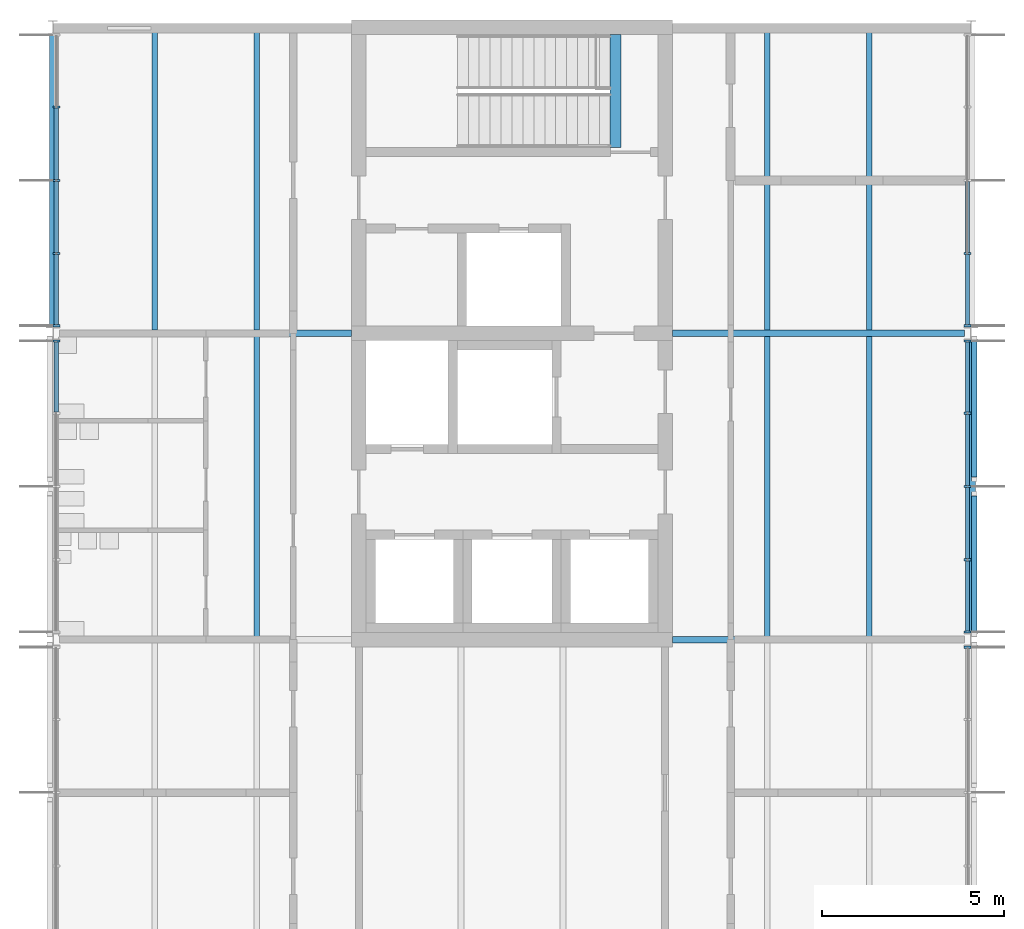
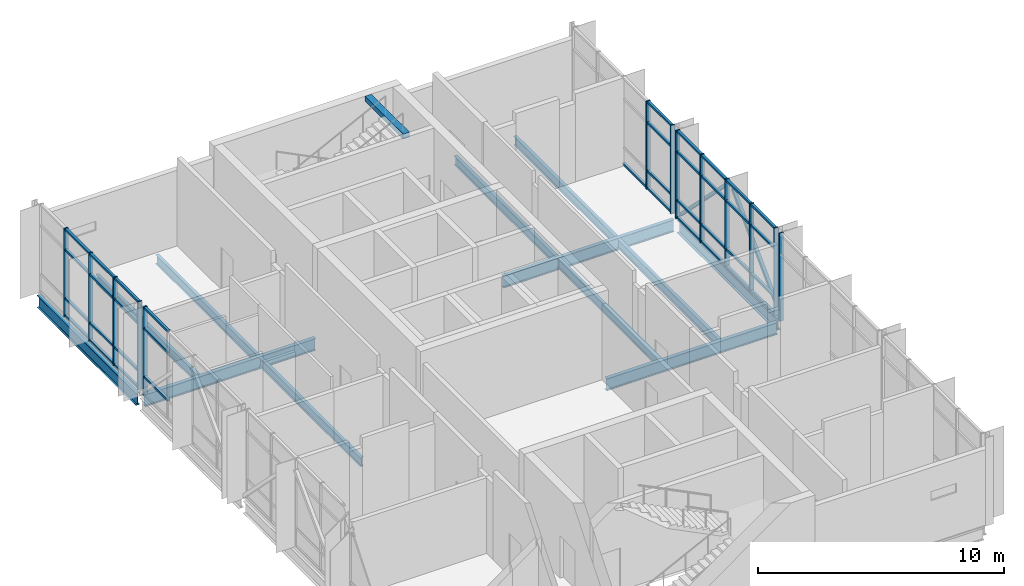
# One storey, part 4 of 15: 51 members, 13 beams, 5 elements without a shape of their own.
"""IFC4 building model written with IfcOpenShell, lengths in metres."""

import ifcopenshell
import ifcopenshell.guid

model = None  # the IFC model being written
_history = None  # IfcOwnerHistory: only IFC2X3 demands one
_inside = {}  # id of a spatial element -> (the spatial element, [elements in it])
_under = {}  # id of a project, library or spatial element -> (it, [spatial elements below it])
_declared = {}  # id of a project -> (the project, [libraries it declares])
_typed = {}  # id of a type object -> (the type object, [elements of that type])
_made_of = {}  # id of a material, layer set ... -> (it, [elements and type objects made of it])


def new_model(schema):
    """Start an empty IFC model of exactly this schema.

    Asked for "IFC4X3", IfcOpenShell would pick the latest addendum, in which some entities
    have other attributes; the version numbers below select the first issue.
    IFC2X3 requires an IfcOwnerHistory on every rooted entity: one is made here for all.
    """
    global model, _history
    if schema == "IFC4X3":
        model = ifcopenshell.file(schema_version=(4, 3, 0, 0))
    else:
        model = ifcopenshell.file(schema=schema)
    _inside.clear()
    _under.clear()
    _declared.clear()
    _typed.clear()
    _made_of.clear()
    _history = None
    if model.schema == "IFC2X3":
        org = make("IfcOrganization", Name="unknown")
        user = make(
            "IfcPersonAndOrganization",
            ThePerson=make("IfcPerson", FamilyName="unknown"),
            TheOrganization=org,
        )
        app = make(
            "IfcApplication",
            ApplicationDeveloper=org,
            Version="unknown",
            ApplicationFullName="unknown",
            ApplicationIdentifier="unknown",
        )
        _history = make(
            "IfcOwnerHistory",
            OwningUser=user,
            OwningApplication=app,
            ChangeAction="ADDED",
            CreationDate=0,
        )
    return model


def make(cls, **values):
    """One entity of the class cls with the attributes given. An attribute that is None is left unset."""
    return model.create_entity(
        cls, **{name: value for name, value in values.items() if value is not None}
    )


def rooted(cls, **values):
    """An entity with a GlobalId (a new one), such as an element, a storey or a relation."""
    return make(cls, GlobalId=ifcopenshell.guid.new(), OwnerHistory=_history, **values)


def si_unit(unit_type, name, prefix=None):
    """IfcSIUnit, for example si_unit("LENGTHUNIT", "METRE", prefix="MILLI")."""
    return make("IfcSIUnit", UnitType=unit_type, Prefix=prefix, Name=name)


def assignment(units):
    """IfcUnitAssignment: the units of a project."""
    return None if units is None else make("IfcUnitAssignment", Units=units)


def point(xyz):
    """IfcCartesianPoint."""
    return None if xyz is None else make("IfcCartesianPoint", Coordinates=xyz)


def direction(xyz):
    """IfcDirection."""
    return None if xyz is None else make("IfcDirection", DirectionRatios=xyz)


def frame(location, z_axis=None, x_axis=None):
    """IfcAxis2Placement3D, a coordinate frame: its origin and axes. An axis left out is left unset."""
    return make(
        "IfcAxis2Placement3D",
        Location=point(location),
        Axis=direction(z_axis),
        RefDirection=direction(x_axis),
    )


def frame_2d(location, x_axis=None):
    """IfcAxis2Placement2D, a coordinate frame in the plane: its origin and x axis."""
    return make(
        "IfcAxis2Placement2D", Location=point(location), RefDirection=direction(x_axis)
    )


def origin():
    """The frame at (0, 0, 0) with its axes left unset."""
    return frame((0.0, 0.0, 0.0))


def origin_2d():
    """The frame at (0, 0) in the plane with its x axis left unset."""
    return frame_2d((0.0, 0.0))


def place(relative_to, where):
    """IfcLocalPlacement: puts the frame where relative to a parent placement (None: the world)."""
    return make(
        "IfcLocalPlacement", PlacementRelTo=relative_to, RelativePlacement=where
    )


def context(
    kind, dimensions, precision=None, world=None, true_north=None, identifier=None
):
    """IfcGeometricRepresentationContext, for example the 3D "Model" context."""
    return make(
        "IfcGeometricRepresentationContext",
        ContextIdentifier=identifier,
        ContextType=kind,
        CoordinateSpaceDimension=dimensions,
        Precision=precision,
        WorldCoordinateSystem=world,
        TrueNorth=true_north,
    )


def subcontext(parent, identifier, kind, view, scale=None):
    """IfcGeometricRepresentationSubContext, for example "Body" below "Model"."""
    return make(
        "IfcGeometricRepresentationSubContext",
        ContextIdentifier=identifier,
        ContextType=kind,
        ParentContext=parent,
        TargetScale=scale,
        TargetView=view,
    )


def project(units=None, contexts=None):
    """IfcProject with its units and contexts."""
    return rooted(
        "IfcProject",
        Name="project",
        RepresentationContexts=contexts,
        UnitsInContext=assignment(units),
    )


def spatial(cls, under=None, at=None, **own):
    """A site, building, storey or space (cls), placed at a placement, below another one or the project."""
    s = rooted(cls, ObjectPlacement=at, **own)
    if under is not None:
        _under.setdefault(under.id(), (under, []))[1].append(s)
    return s


def profile(cls, at=None, kind="AREA", **sizes):
    """A parametric profile (cls). Its sizes go by their IFC names, for example OverallWidth=200.0."""
    return make(cls, ProfileType=kind, Position=at, **sizes)


def rectangle(**sizes):
    """IfcRectangleProfileDef."""
    return profile("IfcRectangleProfileDef", **sizes)


def hollow_rectangle(**sizes):
    """IfcRectangleHollowProfileDef."""
    return profile("IfcRectangleHollowProfileDef", **sizes)


def i_section(**sizes):
    """IfcIShapeProfileDef."""
    return profile("IfcIShapeProfileDef", **sizes)


def extrude(swept, where, along, depth):
    """IfcExtrudedAreaSolid: the profile swept, set in the frame where, extruded along a direction by depth."""
    return make(
        "IfcExtrudedAreaSolid",
        SweptArea=swept,
        Position=where,
        ExtrudedDirection=direction(along),
        Depth=depth,
    )


def shape(context_of_items, identifier, shape_type, items):
    """IfcShapeRepresentation: the items that make up one representation, for example the "Body"."""
    return make(
        "IfcShapeRepresentation",
        ContextOfItems=context_of_items,
        RepresentationIdentifier=identifier,
        RepresentationType=shape_type,
        Items=items,
    )


def material(Name=None, Category=None):
    """IfcMaterial."""
    return make("IfcMaterial", Name=Name, Category=Category)


def material_profile(
    of_material, cross_section, Name=None, Category=None, Priority=None
):
    """IfcMaterialProfile: a cross section and its material."""
    return make(
        "IfcMaterialProfile",
        Name=Name,
        Material=of_material,
        Profile=cross_section,
        Priority=Priority,
        Category=Category,
    )


def profile_set(profiles, Name=None, composite=None):
    """IfcMaterialProfileSet."""
    return make(
        "IfcMaterialProfileSet",
        Name=Name,
        MaterialProfiles=profiles,
        CompositeProfile=composite,
    )


def made_of(thing, what):
    """Note that an element or type object is made of a material, layer set ...; save() writes the relation."""
    if what is not None:
        _made_of.setdefault(what.id(), (what, []))[1].append(thing)
    return thing


def type_object(cls, material=None, **own):
    """A type object (cls), such as IfcWallType, which elements share."""
    return made_of(rooted(cls, **own), material)


def element(
    cls,
    number,
    at=None,
    inside=None,
    cuts=None,
    type_object=None,
    material=None,
    context=None,
    identifier="Body",
    shape_type=None,
    held_by="IfcProductDefinitionShape",
    body=None,
    shapes=None,
    **own,
):
    """One element of the class cls, such as IfcWall. Its Tag is "e" and its number.

    at: its placement. inside: the storey or other place that contains it. cuts: it is an
    opening in that element (IfcRelVoidsElement). A single representation is given by context,
    identifier, shape_type and body (its items); several are given by shapes. held_by: the class
    of the entity that holds the representations. save() writes the other relations.
    """
    e = rooted(cls, Tag="e%d" % number, ObjectPlacement=at, **own)
    if body is not None:
        shapes = [shape(context, identifier, shape_type, body)]
    if shapes is not None:
        e.Representation = make(held_by, Representations=shapes)
    if inside is not None:
        _inside.setdefault(inside.id(), (inside, []))[1].append(e)
    if cuts is not None:
        rooted(
            "IfcRelVoidsElement", RelatingBuildingElement=cuts, RelatedOpeningElement=e
        )
    if type_object is not None:
        _typed.setdefault(type_object.id(), (type_object, []))[1].append(e)
    return made_of(e, material)


def aggregate(whole, parts):
    """IfcRelAggregates: a whole, such as a stair, and the parts it consists of."""
    return rooted("IfcRelAggregates", RelatingObject=whole, RelatedObjects=parts)


def save(model, path):
    """Write the relations noted so far, then the file.

    IfcRelAggregates (storeys below a building ...), IfcRelContainedInSpatialStructure (elements
    in a storey), IfcRelDefinesByType, IfcRelAssociatesMaterial and IfcRelDeclares: one each for
    every whole, place, type object, material and project.
    """
    for whole, parts in _under.values():
        aggregate(whole, parts)
    for where, things in _inside.values():
        rooted(
            "IfcRelContainedInSpatialStructure",
            RelatedElements=things,
            RelatingStructure=where,
        )
    for kind, things in _typed.values():
        rooted("IfcRelDefinesByType", RelatedObjects=things, RelatingType=kind)
    for what, things in _made_of.values():
        rooted("IfcRelAssociatesMaterial", RelatedObjects=things, RelatingMaterial=what)
    for by, libraries in _declared.values():
        rooted("IfcRelDeclares", RelatingContext=by, RelatedDefinitions=libraries)
    model.write(path)


model = new_model("IFC4")

# Units and contexts
model_context = context("Model", 3, precision=1e-05, world=origin(), true_north=direction((0.0, 1.0)))
body_context = subcontext(model_context, "Body", "Model", "MODEL_VIEW")
ifc_project = project(units=[si_unit("LENGTHUNIT", "METRE"), si_unit("AREAUNIT", "SQUARE_METRE"), si_unit("VOLUMEUNIT", "CUBIC_METRE"), si_unit("PLANEANGLEUNIT", "RADIAN"), si_unit("MASSUNIT", "GRAM", prefix="KILO")], contexts=[model_context])

# Site, building, storey
site_placement = place(None, origin())
site = spatial("IfcSite", under=ifc_project, at=site_placement, CompositionType="ELEMENT")
building_placement = place(site_placement, origin())
building = spatial("IfcBuilding", under=site, at=building_placement, Name="Hlaing Beacon Police Headquarters", CompositionType="ELEMENT")
storey_placement = place(building_placement, frame((0.0, 0.0, 32.39990234375)))
storey = spatial("IfcBuildingStorey", under=building, at=storey_placement, Name="L07", CompositionType="ELEMENT", Elevation=32.39990234375)

# Members
ifc_material_1 = material(Name="Steel ASTM A500 Grade C", Category="steel")
ifc_material_profile_1 = material_profile(ifc_material_1, hollow_rectangle(XDim=0.15234375, YDim=0.15234375, WallThickness=0.0126953125, at=origin_2d()), Name="HSS6x6x1/2")
ifc_profile_set_1 = profile_set([ifc_material_profile_1], Name="Steel ASTM A500 Grade C")
member_type_1 = type_object("IfcMemberType", Name="Chevron brace HSS6x6x1/2", PredefinedType="BRACE", material=ifc_profile_set_1)
for number, where, z_axis, x_axis, name in (
    (1, (126.080078125, 50.530029296875, 0.05419921875), (0.0, 0.704368633341, 0.709834366853), (-1.0, 0.0, 0.0), "STR-BR-L07-R7a"),
    (2, (126.080078125, 58.669921875, 0.05419921875), (0.0, -0.704368633341, 0.709834366853), (1.0, 0.0, 0.0), "STR-BR-L07-R7b"),
):
    element("IfcMember", number, at=place(storey_placement, frame(where, z_axis=z_axis, x_axis=x_axis)), inside=storey, type_object=member_type_1, Name=name, PredefinedType="BRACE", context=body_context, shape_type="SweptSolid", body=[
        extrude(hollow_rectangle(XDim=0.15234375, YDim=0.15234375, WallThickness=0.0126953125, at=origin_2d()), origin(), (0.0, 0.0, 1.0), 5.494140625),
    ])

# Beams
ifc_material_2 = material(Name="Steel ASTM A992 Grade 50", Category="steel")
ifc_material_profile_2 = material_profile(ifc_material_2, i_section(OverallWidth=0.177978515625, OverallDepth=0.599365234375, WebThickness=0.010009765625, FlangeThickness=0.012939453125, FilletRadius=0.012939453125, at=origin_2d()), Name="W24x55")
ifc_profile_set_2 = profile_set([ifc_material_profile_2], Name="Steel ASTM A992 Grade 50")
beam_type_1 = type_object("IfcBeamType", Name="Girder W24x55", PredefinedType="BEAM", material=ifc_profile_set_2)
for number, where, z_axis, x_axis, name in (
    (3, (117.800048828125, 50.39990234375, -0.4296875), (1.0, 0.0, 0.0), (0.0, 1.0, 0.0), "STR-BM-L07-GX-Q7-R7"),
    (4, (100.985107421875, 58.800048828125, -0.4296875), (1.0, 0.0, 0.0), (0.0, 1.0, 0.0), "STR-BM-L07-GX-N8-P8"),
    (5, (117.800048828125, 58.800048828125, -0.4296875), (1.0, 0.0, 0.0), (0.0, 1.0, 0.0), "STR-BM-L07-GX-Q8-R8"),
):
    element("IfcBeam", number, at=place(storey_placement, frame(where, z_axis=z_axis, x_axis=x_axis)), inside=storey, type_object=beam_type_1, Name=name, PredefinedType="BEAM", context=body_context, shape_type="SweptSolid", body=[
        extrude(i_section(OverallWidth=0.177978515625, OverallDepth=0.599365234375, WebThickness=0.010009765625, FlangeThickness=0.012939453125, FilletRadius=0.012939453125, at=origin_2d()), origin(), (0.0, 0.0, 1.0), 8.014892578125),
    ])
beam_1_placement = place(storey_placement, frame((100.800048828125, 58.98193359375, -0.4296875), z_axis=(0.0, 1.0, 0.0), x_axis=(-1.0, 0.0, 0.0)))
element("IfcBeam", 6, at=beam_1_placement, inside=storey, type_object=beam_type_1, Name="STR-BM-L07-GY-N8-N9", PredefinedType="BEAM", context=body_context, shape_type="SweptSolid", body=[
    extrude(i_section(OverallWidth=0.177978515625, OverallDepth=0.599365234375, WebThickness=0.010009765625, FlangeThickness=0.012939453125, FilletRadius=0.012939453125, at=origin_2d()), origin(), (0.0, 0.0, 1.0), 8.0400390625),
])
ifc_material_3 = material(Name="Steel ASTM A992 Grade 50", Category="steel")
ifc_material_profile_3 = material_profile(ifc_material_3, i_section(OverallWidth=0.22900390625, OverallDepth=0.612060546875, WebThickness=0.011962890625, FlangeThickness=0.01953125, FilletRadius=0.0126953125, at=origin_2d()), Name="W24x84")
ifc_profile_set_3 = profile_set([ifc_material_profile_3], Name="Steel ASTM A992 Grade 50")
beam_type_2 = type_object("IfcBeamType", Name="Girder W24x84", PredefinedType="BEAM", material=ifc_profile_set_3)
beam_2_placement = place(storey_placement, frame((126.0, 50.58203125, -0.43603515625), z_axis=(0.0, 1.0, 0.0), x_axis=(-1.0, 0.0, 0.0)))
element("IfcBeam", 7, at=beam_2_placement, inside=storey, type_object=beam_type_2, Name="STR-BM-L07-GY-R7-R8", PredefinedType="BEAM", context=body_context, shape_type="SweptSolid", body=[
    extrude(i_section(OverallWidth=0.22900390625, OverallDepth=0.612060546875, WebThickness=0.011962890625, FlangeThickness=0.01953125, FilletRadius=0.0126953125, at=origin_2d()), origin(), (0.0, 0.0, 1.0), 8.035888671875),
])

# Curtain wall, member
ifc_material_4 = material(Name="Aluminium frame with solar control glazing", Category="aluminium")
curtain_wall_type = type_object("IfcCurtainWallType", Name="Unitised curtain wall 8.04 x 4.37", PredefinedType="NOTDEFINED", material=ifc_material_4)
curtain_wall_1_placement = place(storey_placement, origin())
curtain_wall_1 = element("IfcCurtainWall", 8, at=curtain_wall_1_placement, inside=storey, type_object=curtain_wall_type, Name="ENV-CW-L07-E002", PredefinedType="NOTDEFINED")
ifc_material_5 = material(Name="Aluminium", Category="aluminium")
ifc_material_profile_4 = material_profile(ifc_material_5, rectangle(XDim=0.199951171875, YDim=0.06005859375, at=origin_2d()), Name="Mullion 60x200")
ifc_profile_set_4 = profile_set([ifc_material_profile_4], Name="Aluminium")
member_type_2 = type_object("IfcMemberType", Name="Mullion 60x200", PredefinedType="MULLION", material=ifc_profile_set_4)
member_1_placement = place(storey_placement, frame((125.89990234375, 50.189697265625, 0.0), z_axis=(0.0, 0.0, 1.0), x_axis=(-1.0, 0.0, 0.0)))
member_1 = element("IfcMember", 9, at=member_1_placement, type_object=member_type_2, Name="CW-L07-E002 mullion 5", PredefinedType="MULLION", context=body_context, shape_type="SweptSolid", body=[
    extrude(rectangle(XDim=0.199951171875, YDim=0.06005859375, at=origin_2d()), origin(), (0.0, 0.0, 1.0), 4.3701171875),
])
aggregate(curtain_wall_1, [member_1])

# Curtain wall, members
curtain_wall_2_placement = place(storey_placement, origin())
curtain_wall_2 = element("IfcCurtainWall", 10, at=curtain_wall_2_placement, inside=storey, type_object=curtain_wall_type, Name="ENV-CW-L07-E003", PredefinedType="NOTDEFINED")
member_2_placement = place(storey_placement, frame((125.89990234375, 50.6103515625, 0.0), z_axis=(0.0, 0.0, 1.0), x_axis=(-1.0, 0.0, 0.0)))
member_2 = element("IfcMember", 11, at=member_2_placement, type_object=member_type_2, Name="CW-L07-E003 mullion 1", PredefinedType="MULLION", context=body_context, shape_type="SweptSolid", body=[
    extrude(rectangle(XDim=0.199951171875, YDim=0.06005859375, at=origin_2d()), origin(), (0.0, 0.0, 1.0), 4.3701171875),
])
member_3_placement = place(storey_placement, frame((125.89990234375, 52.590087890625, 0.0), z_axis=(0.0, 0.0, 1.0), x_axis=(-1.0, 0.0, 0.0)))
member_3 = element("IfcMember", 12, at=member_3_placement, type_object=member_type_2, Name="CW-L07-E003 mullion 2", PredefinedType="MULLION", context=body_context, shape_type="SweptSolid", body=[
    extrude(rectangle(XDim=0.199951171875, YDim=0.06005859375, at=origin_2d()), origin(), (0.0, 0.0, 1.0), 4.3701171875),
])
member_4_placement = place(storey_placement, frame((125.89990234375, 54.60009765625, 0.0), z_axis=(0.0, 0.0, 1.0), x_axis=(-1.0, 0.0, 0.0)))
member_4 = element("IfcMember", 13, at=member_4_placement, type_object=member_type_2, Name="CW-L07-E003 mullion 3", PredefinedType="MULLION", context=body_context, shape_type="SweptSolid", body=[
    extrude(rectangle(XDim=0.199951171875, YDim=0.06005859375, at=origin_2d()), origin(), (0.0, 0.0, 1.0), 4.3701171875),
])
member_5_placement = place(storey_placement, frame((125.89990234375, 56.60986328125, 0.0), z_axis=(0.0, 0.0, 1.0), x_axis=(-1.0, 0.0, 0.0)))
member_5 = element("IfcMember", 14, at=member_5_placement, type_object=member_type_2, Name="CW-L07-E003 mullion 4", PredefinedType="MULLION", context=body_context, shape_type="SweptSolid", body=[
    extrude(rectangle(XDim=0.199951171875, YDim=0.06005859375, at=origin_2d()), origin(), (0.0, 0.0, 1.0), 4.3701171875),
])
member_6_placement = place(storey_placement, frame((125.89990234375, 58.589599609375, 0.0), z_axis=(0.0, 0.0, 1.0), x_axis=(-1.0, 0.0, 0.0)))
member_6 = element("IfcMember", 15, at=member_6_placement, type_object=member_type_2, Name="CW-L07-E003 mullion 5", PredefinedType="MULLION", context=body_context, shape_type="SweptSolid", body=[
    extrude(rectangle(XDim=0.199951171875, YDim=0.06005859375, at=origin_2d()), origin(), (0.0, 0.0, 1.0), 4.3701171875),
])

curtain_wall_3_placement = place(storey_placement, origin())
curtain_wall_3 = element("IfcCurtainWall", 16, at=curtain_wall_3_placement, inside=storey, type_object=curtain_wall_type, Name="ENV-CW-L07-E004", PredefinedType="NOTDEFINED")
member_7_placement = place(storey_placement, frame((125.89990234375, 59.01025390625, 0.0), z_axis=(0.0, 0.0, 1.0), x_axis=(-1.0, 0.0, 0.0)))
member_7 = element("IfcMember", 17, at=member_7_placement, type_object=member_type_2, Name="CW-L07-E004 mullion 1", PredefinedType="MULLION", context=body_context, shape_type="SweptSolid", body=[
    extrude(rectangle(XDim=0.199951171875, YDim=0.06005859375, at=origin_2d()), origin(), (0.0, 0.0, 1.0), 4.3701171875),
])
member_8_placement = place(storey_placement, frame((125.89990234375, 60.990234375, 0.0), z_axis=(0.0, 0.0, 1.0), x_axis=(-1.0, 0.0, 0.0)))
member_8 = element("IfcMember", 18, at=member_8_placement, type_object=member_type_2, Name="CW-L07-E004 mullion 2", PredefinedType="MULLION", context=body_context, shape_type="SweptSolid", body=[
    extrude(rectangle(XDim=0.199951171875, YDim=0.06005859375, at=origin_2d()), origin(), (0.0, 0.0, 1.0), 4.3701171875),
])

curtain_wall_4_placement = place(storey_placement, origin())
curtain_wall_4 = element("IfcCurtainWall", 19, at=curtain_wall_4_placement, inside=storey, type_object=curtain_wall_type, Name="ENV-CW-L07-W005", PredefinedType="NOTDEFINED")
member_9_placement = place(storey_placement, frame((100.89990234375, 65.009765625, 0.0), z_axis=(0.0, 0.0, 1.0), x_axis=(1.0, 0.0, 0.0)))
member_9 = element("IfcMember", 20, at=member_9_placement, type_object=member_type_2, Name="CW-L07-W005 mullion 2", PredefinedType="MULLION", context=body_context, shape_type="SweptSolid", body=[
    extrude(rectangle(XDim=0.199951171875, YDim=0.06005859375, at=origin_2d()), origin(), (0.0, 0.0, 1.0), 4.3701171875),
])
member_10_placement = place(storey_placement, frame((100.89990234375, 63.0, 0.0), z_axis=(0.0, 0.0, 1.0), x_axis=(1.0, 0.0, 0.0)))
member_10 = element("IfcMember", 21, at=member_10_placement, type_object=member_type_2, Name="CW-L07-W005 mullion 3", PredefinedType="MULLION", context=body_context, shape_type="SweptSolid", body=[
    extrude(rectangle(XDim=0.199951171875, YDim=0.06005859375, at=origin_2d()), origin(), (0.0, 0.0, 1.0), 4.3701171875),
])
member_11_placement = place(storey_placement, frame((100.89990234375, 60.990234375, 0.0), z_axis=(0.0, 0.0, 1.0), x_axis=(1.0, 0.0, 0.0)))
member_11 = element("IfcMember", 22, at=member_11_placement, type_object=member_type_2, Name="CW-L07-W005 mullion 4", PredefinedType="MULLION", context=body_context, shape_type="SweptSolid", body=[
    extrude(rectangle(XDim=0.199951171875, YDim=0.06005859375, at=origin_2d()), origin(), (0.0, 0.0, 1.0), 4.3701171875),
])
member_12_placement = place(storey_placement, frame((100.89990234375, 59.01025390625, 0.0), z_axis=(0.0, 0.0, 1.0), x_axis=(1.0, 0.0, 0.0)))
member_12 = element("IfcMember", 23, at=member_12_placement, type_object=member_type_2, Name="CW-L07-W005 mullion 5", PredefinedType="MULLION", context=body_context, shape_type="SweptSolid", body=[
    extrude(rectangle(XDim=0.199951171875, YDim=0.06005859375, at=origin_2d()), origin(), (0.0, 0.0, 1.0), 4.3701171875),
])

# Curtain wall, member
curtain_wall_5_placement = place(storey_placement, origin())
curtain_wall_5 = element("IfcCurtainWall", 24, at=curtain_wall_5_placement, inside=storey, type_object=curtain_wall_type, Name="ENV-CW-L07-W006", PredefinedType="NOTDEFINED")
member_13_placement = place(storey_placement, frame((100.89990234375, 58.589599609375, 0.0), z_axis=(0.0, 0.0, 1.0), x_axis=(1.0, 0.0, 0.0)))
member_13 = element("IfcMember", 25, at=member_13_placement, type_object=member_type_2, Name="CW-L07-W006 mullion 1", PredefinedType="MULLION", context=body_context, shape_type="SweptSolid", body=[
    extrude(rectangle(XDim=0.199951171875, YDim=0.06005859375, at=origin_2d()), origin(), (0.0, 0.0, 1.0), 4.3701171875),
])

# Beams
ifc_material_6 = material(Name="Steel ASTM A992 Grade 50", Category="steel")
ifc_material_profile_5 = material_profile(ifc_material_6, i_section(OverallWidth=0.15234375, OverallDepth=0.449462890625, WebThickness=0.007568359375, FlangeThickness=0.0107421875, FilletRadius=0.01025390625, at=origin_2d()), Name="W18x35")
ifc_profile_set_5 = profile_set([ifc_material_profile_5], Name="Steel ASTM A992 Grade 50")
beam_type_3 = type_object("IfcBeamType", Name="Secondary beam W18x35", PredefinedType="BEAM", material=ifc_profile_set_5)
beam_3_placement = place(storey_placement, frame((106.39990234375, 50.489013671875, -0.354736328125), z_axis=(0.0, 1.0, 0.0), x_axis=(-1.0, 0.0, 0.0)))
element("IfcBeam", 26, at=beam_3_placement, inside=storey, type_object=beam_type_3, Name="STR-BM-L07-SB-N7-y2", PredefinedType="BEAM", context=body_context, shape_type="SweptSolid", body=[
    extrude(i_section(OverallWidth=0.15234375, OverallDepth=0.449462890625, WebThickness=0.007568359375, FlangeThickness=0.0107421875, FilletRadius=0.01025390625, at=origin_2d()), origin(), (0.0, 0.0, 1.0), 8.221923828125),
])
for number, where, z_axis, x_axis, name in (
    (27, (103.60009765625, 58.888916015625, -0.354736328125), (0.0, 1.0, 0.0), (-1.0, 0.0, 0.0), "STR-BM-L07-SB-N8-y1"),
    (28, (106.39990234375, 58.888916015625, -0.354736328125), (0.0, 1.0, 0.0), (-1.0, 0.0, 0.0), "STR-BM-L07-SB-N8-y2"),
):
    element("IfcBeam", number, at=place(storey_placement, frame(where, z_axis=z_axis, x_axis=x_axis)), inside=storey, type_object=beam_type_3, Name=name, PredefinedType="BEAM", context=body_context, shape_type="SweptSolid", body=[
        extrude(i_section(OverallWidth=0.15234375, OverallDepth=0.449462890625, WebThickness=0.007568359375, FlangeThickness=0.0107421875, FilletRadius=0.01025390625, at=origin_2d()), origin(), (0.0, 0.0, 1.0), 8.22216796875),
    ])
for number, where, z_axis, x_axis, name in (
    (29, (120.39990234375, 50.489013671875, -0.354736328125), (0.0, 1.0, 0.0), (-1.0, 0.0, 0.0), "STR-BM-L07-SB-Q7-y1"),
    (30, (123.199951171875, 50.489013671875, -0.354736328125), (0.0, 1.0, 0.0), (-1.0, 0.0, 0.0), "STR-BM-L07-SB-Q7-y2"),
):
    element("IfcBeam", number, at=place(storey_placement, frame(where, z_axis=z_axis, x_axis=x_axis)), inside=storey, type_object=beam_type_3, Name=name, PredefinedType="BEAM", context=body_context, shape_type="SweptSolid", body=[
        extrude(i_section(OverallWidth=0.15234375, OverallDepth=0.449462890625, WebThickness=0.007568359375, FlangeThickness=0.0107421875, FilletRadius=0.01025390625, at=origin_2d()), origin(), (0.0, 0.0, 1.0), 8.221923828125),
    ])
for number, where, z_axis, x_axis, name in (
    (31, (120.39990234375, 58.888916015625, -0.354736328125), (0.0, 1.0, 0.0), (-1.0, 0.0, 0.0), "STR-BM-L07-SB-Q8-y1"),
    (32, (123.199951171875, 58.888916015625, -0.354736328125), (0.0, 1.0, 0.0), (-1.0, 0.0, 0.0), "STR-BM-L07-SB-Q8-y2"),
):
    element("IfcBeam", number, at=place(storey_placement, frame(where, z_axis=z_axis, x_axis=x_axis)), inside=storey, type_object=beam_type_3, Name=name, PredefinedType="BEAM", context=body_context, shape_type="SweptSolid", body=[
        extrude(i_section(OverallWidth=0.15234375, OverallDepth=0.449462890625, WebThickness=0.007568359375, FlangeThickness=0.0107421875, FilletRadius=0.01025390625, at=origin_2d()), origin(), (0.0, 0.0, 1.0), 8.22216796875),
    ])
ifc_material_7 = material(Name="Concrete C40/50", Category="concrete")
ifc_material_profile_6 = material_profile(ifc_material_7, rectangle(XDim=0.300048828125, YDim=0.25, at=origin_2d()), Name="Stair arrival beam 300x250")
ifc_profile_set_6 = profile_set([ifc_material_profile_6], Name="Concrete C40/50")
beam_type_4 = type_object("IfcBeamType", Name="Stair arrival beam 300x250", PredefinedType="BEAM", material=ifc_profile_set_6)
beam_4_placement = place(storey_placement, frame((116.239990234375, 67.0, 4.2451171875), z_axis=(0.0, -1.0, 0.0), x_axis=(1.0, 0.0, 0.0)))
element("IfcBeam", 33, at=beam_4_placement, inside=storey, type_object=beam_type_4, Name="Stair arrival beam ST-M", PredefinedType="BEAM", context=body_context, shape_type="SweptSolid", body=[
    extrude(rectangle(XDim=0.300048828125, YDim=0.25, at=origin_2d()), origin(), (0.0, 0.0, 1.0), 3.10009765625),
])

# Member
ifc_material_8 = material(Name="Aluminium", Category="aluminium")
ifc_material_profile_7 = material_profile(ifc_material_8, rectangle(XDim=0.1201171875, YDim=0.10009765625, at=origin_2d()), Name="Transom 120x100")
ifc_profile_set_7 = profile_set([ifc_material_profile_7], Name="Aluminium")
member_type_3 = type_object("IfcMemberType", Name="Transom 120x100", PredefinedType="USERDEFINED", material=ifc_profile_set_7)
member_14_placement = place(storey_placement, frame((125.89990234375, 50.640380859375, 0.050048828125), z_axis=(0.0, 1.0, 0.0), x_axis=(-1.0, 0.0, 0.0)))
member_14 = element("IfcMember", 34, at=member_14_placement, type_object=member_type_3, Name="CW-L07-E003 transom 1.1", ObjectType="TRANSOM", PredefinedType="USERDEFINED", context=body_context, shape_type="SweptSolid", body=[
    extrude(rectangle(XDim=0.1201171875, YDim=0.10009765625, at=origin_2d()), origin(), (0.0, 0.0, 1.0), 1.919677734375),
])

member_15_placement = place(storey_placement, frame((125.89990234375, 50.640380859375, 0.900146484375), z_axis=(0.0, 1.0, 0.0), x_axis=(-1.0, 0.0, 0.0)))
member_15 = element("IfcMember", 35, at=member_15_placement, type_object=member_type_3, Name="CW-L07-E003 transom 1.2", ObjectType="TRANSOM", PredefinedType="USERDEFINED", context=body_context, shape_type="SweptSolid", body=[
    extrude(rectangle(XDim=0.1201171875, YDim=0.10009765625, at=origin_2d()), origin(), (0.0, 0.0, 1.0), 1.919677734375),
])

member_16_placement = place(storey_placement, frame((125.89990234375, 50.640380859375, 3.300048828125), z_axis=(0.0, 1.0, 0.0), x_axis=(-1.0, 0.0, 0.0)))
member_16 = element("IfcMember", 36, at=member_16_placement, type_object=member_type_3, Name="CW-L07-E003 transom 1.3", ObjectType="TRANSOM", PredefinedType="USERDEFINED", context=body_context, shape_type="SweptSolid", body=[
    extrude(rectangle(XDim=0.1201171875, YDim=0.10009765625, at=origin_2d()), origin(), (0.0, 0.0, 1.0), 1.919677734375),
])

member_17_placement = place(storey_placement, frame((125.89990234375, 50.640380859375, 4.320068359375), z_axis=(0.0, 1.0, 0.0), x_axis=(-1.0, 0.0, 0.0)))
member_17 = element("IfcMember", 37, at=member_17_placement, type_object=member_type_3, Name="CW-L07-E003 transom 1.4", ObjectType="TRANSOM", PredefinedType="USERDEFINED", context=body_context, shape_type="SweptSolid", body=[
    extrude(rectangle(XDim=0.1201171875, YDim=0.10009765625, at=origin_2d()), origin(), (0.0, 0.0, 1.0), 1.919677734375),
])

member_18_placement = place(storey_placement, frame((125.89990234375, 52.6201171875, 0.050048828125), z_axis=(0.0, 1.0, 0.0), x_axis=(-1.0, 0.0, 0.0)))
member_18 = element("IfcMember", 38, at=member_18_placement, type_object=member_type_3, Name="CW-L07-E003 transom 2.1", ObjectType="TRANSOM", PredefinedType="USERDEFINED", context=body_context, shape_type="SweptSolid", body=[
    extrude(rectangle(XDim=0.1201171875, YDim=0.10009765625, at=origin_2d()), origin(), (0.0, 0.0, 1.0), 1.949951171875),
])

member_19_placement = place(storey_placement, frame((125.89990234375, 52.6201171875, 0.900146484375), z_axis=(0.0, 1.0, 0.0), x_axis=(-1.0, 0.0, 0.0)))
member_19 = element("IfcMember", 39, at=member_19_placement, type_object=member_type_3, Name="CW-L07-E003 transom 2.2", ObjectType="TRANSOM", PredefinedType="USERDEFINED", context=body_context, shape_type="SweptSolid", body=[
    extrude(rectangle(XDim=0.1201171875, YDim=0.10009765625, at=origin_2d()), origin(), (0.0, 0.0, 1.0), 1.949951171875),
])

member_20_placement = place(storey_placement, frame((125.89990234375, 52.6201171875, 3.300048828125), z_axis=(0.0, 1.0, 0.0), x_axis=(-1.0, 0.0, 0.0)))
member_20 = element("IfcMember", 40, at=member_20_placement, type_object=member_type_3, Name="CW-L07-E003 transom 2.3", ObjectType="TRANSOM", PredefinedType="USERDEFINED", context=body_context, shape_type="SweptSolid", body=[
    extrude(rectangle(XDim=0.1201171875, YDim=0.10009765625, at=origin_2d()), origin(), (0.0, 0.0, 1.0), 1.949951171875),
])

member_21_placement = place(storey_placement, frame((125.89990234375, 52.6201171875, 4.320068359375), z_axis=(0.0, 1.0, 0.0), x_axis=(-1.0, 0.0, 0.0)))
member_21 = element("IfcMember", 41, at=member_21_placement, type_object=member_type_3, Name="CW-L07-E003 transom 2.4", ObjectType="TRANSOM", PredefinedType="USERDEFINED", context=body_context, shape_type="SweptSolid", body=[
    extrude(rectangle(XDim=0.1201171875, YDim=0.10009765625, at=origin_2d()), origin(), (0.0, 0.0, 1.0), 1.949951171875),
])

member_22_placement = place(storey_placement, frame((125.89990234375, 54.6298828125, 0.050048828125), z_axis=(0.0, 1.0, 0.0), x_axis=(-1.0, 0.0, 0.0)))
member_22 = element("IfcMember", 42, at=member_22_placement, type_object=member_type_3, Name="CW-L07-E003 transom 3.1", ObjectType="TRANSOM", PredefinedType="USERDEFINED", context=body_context, shape_type="SweptSolid", body=[
    extrude(rectangle(XDim=0.1201171875, YDim=0.10009765625, at=origin_2d()), origin(), (0.0, 0.0, 1.0), 1.949951171875),
])

member_23_placement = place(storey_placement, frame((125.89990234375, 54.6298828125, 0.900146484375), z_axis=(0.0, 1.0, 0.0), x_axis=(-1.0, 0.0, 0.0)))
member_23 = element("IfcMember", 43, at=member_23_placement, type_object=member_type_3, Name="CW-L07-E003 transom 3.2", ObjectType="TRANSOM", PredefinedType="USERDEFINED", context=body_context, shape_type="SweptSolid", body=[
    extrude(rectangle(XDim=0.1201171875, YDim=0.10009765625, at=origin_2d()), origin(), (0.0, 0.0, 1.0), 1.949951171875),
])

member_24_placement = place(storey_placement, frame((125.89990234375, 54.6298828125, 3.300048828125), z_axis=(0.0, 1.0, 0.0), x_axis=(-1.0, 0.0, 0.0)))
member_24 = element("IfcMember", 44, at=member_24_placement, type_object=member_type_3, Name="CW-L07-E003 transom 3.3", ObjectType="TRANSOM", PredefinedType="USERDEFINED", context=body_context, shape_type="SweptSolid", body=[
    extrude(rectangle(XDim=0.1201171875, YDim=0.10009765625, at=origin_2d()), origin(), (0.0, 0.0, 1.0), 1.949951171875),
])

member_25_placement = place(storey_placement, frame((125.89990234375, 54.6298828125, 4.320068359375), z_axis=(0.0, 1.0, 0.0), x_axis=(-1.0, 0.0, 0.0)))
member_25 = element("IfcMember", 45, at=member_25_placement, type_object=member_type_3, Name="CW-L07-E003 transom 3.4", ObjectType="TRANSOM", PredefinedType="USERDEFINED", context=body_context, shape_type="SweptSolid", body=[
    extrude(rectangle(XDim=0.1201171875, YDim=0.10009765625, at=origin_2d()), origin(), (0.0, 0.0, 1.0), 1.949951171875),
])

member_26_placement = place(storey_placement, frame((125.89990234375, 56.639892578125, 0.050048828125), z_axis=(0.0, 1.0, 0.0), x_axis=(-1.0, 0.0, 0.0)))
member_26 = element("IfcMember", 46, at=member_26_placement, type_object=member_type_3, Name="CW-L07-E003 transom 4.1", ObjectType="TRANSOM", PredefinedType="USERDEFINED", context=body_context, shape_type="SweptSolid", body=[
    extrude(rectangle(XDim=0.1201171875, YDim=0.10009765625, at=origin_2d()), origin(), (0.0, 0.0, 1.0), 1.919921875),
])

member_27_placement = place(storey_placement, frame((125.89990234375, 56.639892578125, 0.900146484375), z_axis=(0.0, 1.0, 0.0), x_axis=(-1.0, 0.0, 0.0)))
member_27 = element("IfcMember", 47, at=member_27_placement, type_object=member_type_3, Name="CW-L07-E003 transom 4.2", ObjectType="TRANSOM", PredefinedType="USERDEFINED", context=body_context, shape_type="SweptSolid", body=[
    extrude(rectangle(XDim=0.1201171875, YDim=0.10009765625, at=origin_2d()), origin(), (0.0, 0.0, 1.0), 1.919921875),
])

member_28_placement = place(storey_placement, frame((125.89990234375, 56.639892578125, 3.300048828125), z_axis=(0.0, 1.0, 0.0), x_axis=(-1.0, 0.0, 0.0)))
member_28 = element("IfcMember", 48, at=member_28_placement, type_object=member_type_3, Name="CW-L07-E003 transom 4.3", ObjectType="TRANSOM", PredefinedType="USERDEFINED", context=body_context, shape_type="SweptSolid", body=[
    extrude(rectangle(XDim=0.1201171875, YDim=0.10009765625, at=origin_2d()), origin(), (0.0, 0.0, 1.0), 1.919921875),
])

member_29_placement = place(storey_placement, frame((125.89990234375, 56.639892578125, 4.320068359375), z_axis=(0.0, 1.0, 0.0), x_axis=(-1.0, 0.0, 0.0)))
member_29 = element("IfcMember", 49, at=member_29_placement, type_object=member_type_3, Name="CW-L07-E003 transom 4.4", ObjectType="TRANSOM", PredefinedType="USERDEFINED", context=body_context, shape_type="SweptSolid", body=[
    extrude(rectangle(XDim=0.1201171875, YDim=0.10009765625, at=origin_2d()), origin(), (0.0, 0.0, 1.0), 1.919921875),
])

aggregate(curtain_wall_2, [member_2, member_3, member_4, member_5, member_6, member_14, member_15, member_16, member_17, member_18, member_19, member_20, member_21, member_22, member_23, member_24, member_25, member_26, member_27, member_28, member_29])

member_30_placement = place(storey_placement, frame((125.89990234375, 59.040283203125, 0.050048828125), z_axis=(0.0, 1.0, 0.0), x_axis=(-1.0, 0.0, 0.0)))
member_30 = element("IfcMember", 50, at=member_30_placement, type_object=member_type_3, Name="CW-L07-E004 transom 1.1", ObjectType="TRANSOM", PredefinedType="USERDEFINED", context=body_context, shape_type="SweptSolid", body=[
    extrude(rectangle(XDim=0.1201171875, YDim=0.10009765625, at=origin_2d()), origin(), (0.0, 0.0, 1.0), 1.919921875),
])

member_31_placement = place(storey_placement, frame((125.89990234375, 59.040283203125, 0.900146484375), z_axis=(0.0, 1.0, 0.0), x_axis=(-1.0, 0.0, 0.0)))
member_31 = element("IfcMember", 51, at=member_31_placement, type_object=member_type_3, Name="CW-L07-E004 transom 1.2", ObjectType="TRANSOM", PredefinedType="USERDEFINED", context=body_context, shape_type="SweptSolid", body=[
    extrude(rectangle(XDim=0.1201171875, YDim=0.10009765625, at=origin_2d()), origin(), (0.0, 0.0, 1.0), 1.919921875),
])

member_32_placement = place(storey_placement, frame((125.89990234375, 59.040283203125, 3.300048828125), z_axis=(0.0, 1.0, 0.0), x_axis=(-1.0, 0.0, 0.0)))
member_32 = element("IfcMember", 52, at=member_32_placement, type_object=member_type_3, Name="CW-L07-E004 transom 1.3", ObjectType="TRANSOM", PredefinedType="USERDEFINED", context=body_context, shape_type="SweptSolid", body=[
    extrude(rectangle(XDim=0.1201171875, YDim=0.10009765625, at=origin_2d()), origin(), (0.0, 0.0, 1.0), 1.919921875),
])

member_33_placement = place(storey_placement, frame((125.89990234375, 59.040283203125, 4.320068359375), z_axis=(0.0, 1.0, 0.0), x_axis=(-1.0, 0.0, 0.0)))
member_33 = element("IfcMember", 53, at=member_33_placement, type_object=member_type_3, Name="CW-L07-E004 transom 1.4", ObjectType="TRANSOM", PredefinedType="USERDEFINED", context=body_context, shape_type="SweptSolid", body=[
    extrude(rectangle(XDim=0.1201171875, YDim=0.10009765625, at=origin_2d()), origin(), (0.0, 0.0, 1.0), 1.919921875),
])

member_34_placement = place(storey_placement, frame((125.89990234375, 61.020263671875, 0.050048828125), z_axis=(0.0, 1.0, 0.0), x_axis=(-1.0, 0.0, 0.0)))
member_34 = element("IfcMember", 54, at=member_34_placement, type_object=member_type_3, Name="CW-L07-E004 transom 2.1", ObjectType="TRANSOM", PredefinedType="USERDEFINED", context=body_context, shape_type="SweptSolid", body=[
    extrude(rectangle(XDim=0.1201171875, YDim=0.10009765625, at=origin_2d()), origin(), (0.0, 0.0, 1.0), 1.94970703125),
])

aggregate(curtain_wall_3, [member_7, member_8, member_30, member_31, member_32, member_33, member_34])

member_35_placement = place(storey_placement, frame((100.89990234375, 64.979736328125, 0.050048828125), z_axis=(0.0, -1.0, 0.0), x_axis=(1.0, 0.0, 0.0)))
member_35 = element("IfcMember", 55, at=member_35_placement, type_object=member_type_3, Name="CW-L07-W005 transom 2.1", ObjectType="TRANSOM", PredefinedType="USERDEFINED", context=body_context, shape_type="SweptSolid", body=[
    extrude(rectangle(XDim=0.1201171875, YDim=0.10009765625, at=origin_2d()), origin(), (0.0, 0.0, 1.0), 1.94970703125),
])

member_36_placement = place(storey_placement, frame((100.89990234375, 64.979736328125, 0.900146484375), z_axis=(0.0, -1.0, 0.0), x_axis=(1.0, 0.0, 0.0)))
member_36 = element("IfcMember", 56, at=member_36_placement, type_object=member_type_3, Name="CW-L07-W005 transom 2.2", ObjectType="TRANSOM", PredefinedType="USERDEFINED", context=body_context, shape_type="SweptSolid", body=[
    extrude(rectangle(XDim=0.1201171875, YDim=0.10009765625, at=origin_2d()), origin(), (0.0, 0.0, 1.0), 1.94970703125),
])

member_37_placement = place(storey_placement, frame((100.89990234375, 64.979736328125, 3.300048828125), z_axis=(0.0, -1.0, 0.0), x_axis=(1.0, 0.0, 0.0)))
member_37 = element("IfcMember", 57, at=member_37_placement, type_object=member_type_3, Name="CW-L07-W005 transom 2.3", ObjectType="TRANSOM", PredefinedType="USERDEFINED", context=body_context, shape_type="SweptSolid", body=[
    extrude(rectangle(XDim=0.1201171875, YDim=0.10009765625, at=origin_2d()), origin(), (0.0, 0.0, 1.0), 1.94970703125),
])

member_38_placement = place(storey_placement, frame((100.89990234375, 64.979736328125, 4.320068359375), z_axis=(0.0, -1.0, 0.0), x_axis=(1.0, 0.0, 0.0)))
member_38 = element("IfcMember", 58, at=member_38_placement, type_object=member_type_3, Name="CW-L07-W005 transom 2.4", ObjectType="TRANSOM", PredefinedType="USERDEFINED", context=body_context, shape_type="SweptSolid", body=[
    extrude(rectangle(XDim=0.1201171875, YDim=0.10009765625, at=origin_2d()), origin(), (0.0, 0.0, 1.0), 1.94970703125),
])

member_39_placement = place(storey_placement, frame((100.89990234375, 62.969970703125, 0.050048828125), z_axis=(0.0, -1.0, 0.0), x_axis=(1.0, 0.0, 0.0)))
member_39 = element("IfcMember", 59, at=member_39_placement, type_object=member_type_3, Name="CW-L07-W005 transom 3.1", ObjectType="TRANSOM", PredefinedType="USERDEFINED", context=body_context, shape_type="SweptSolid", body=[
    extrude(rectangle(XDim=0.1201171875, YDim=0.10009765625, at=origin_2d()), origin(), (0.0, 0.0, 1.0), 1.94970703125),
])

member_40_placement = place(storey_placement, frame((100.89990234375, 62.969970703125, 0.900146484375), z_axis=(0.0, -1.0, 0.0), x_axis=(1.0, 0.0, 0.0)))
member_40 = element("IfcMember", 60, at=member_40_placement, type_object=member_type_3, Name="CW-L07-W005 transom 3.2", ObjectType="TRANSOM", PredefinedType="USERDEFINED", context=body_context, shape_type="SweptSolid", body=[
    extrude(rectangle(XDim=0.1201171875, YDim=0.10009765625, at=origin_2d()), origin(), (0.0, 0.0, 1.0), 1.94970703125),
])

member_41_placement = place(storey_placement, frame((100.89990234375, 62.969970703125, 3.300048828125), z_axis=(0.0, -1.0, 0.0), x_axis=(1.0, 0.0, 0.0)))
member_41 = element("IfcMember", 61, at=member_41_placement, type_object=member_type_3, Name="CW-L07-W005 transom 3.3", ObjectType="TRANSOM", PredefinedType="USERDEFINED", context=body_context, shape_type="SweptSolid", body=[
    extrude(rectangle(XDim=0.1201171875, YDim=0.10009765625, at=origin_2d()), origin(), (0.0, 0.0, 1.0), 1.94970703125),
])

member_42_placement = place(storey_placement, frame((100.89990234375, 62.969970703125, 4.320068359375), z_axis=(0.0, -1.0, 0.0), x_axis=(1.0, 0.0, 0.0)))
member_42 = element("IfcMember", 62, at=member_42_placement, type_object=member_type_3, Name="CW-L07-W005 transom 3.4", ObjectType="TRANSOM", PredefinedType="USERDEFINED", context=body_context, shape_type="SweptSolid", body=[
    extrude(rectangle(XDim=0.1201171875, YDim=0.10009765625, at=origin_2d()), origin(), (0.0, 0.0, 1.0), 1.94970703125),
])

member_43_placement = place(storey_placement, frame((100.89990234375, 60.960205078125, 0.050048828125), z_axis=(0.0, -1.0, 0.0), x_axis=(1.0, 0.0, 0.0)))
member_43 = element("IfcMember", 63, at=member_43_placement, type_object=member_type_3, Name="CW-L07-W005 transom 4.1", ObjectType="TRANSOM", PredefinedType="USERDEFINED", context=body_context, shape_type="SweptSolid", body=[
    extrude(rectangle(XDim=0.1201171875, YDim=0.10009765625, at=origin_2d()), origin(), (0.0, 0.0, 1.0), 1.919921875),
])

member_44_placement = place(storey_placement, frame((100.89990234375, 60.960205078125, 0.900146484375), z_axis=(0.0, -1.0, 0.0), x_axis=(1.0, 0.0, 0.0)))
member_44 = element("IfcMember", 64, at=member_44_placement, type_object=member_type_3, Name="CW-L07-W005 transom 4.2", ObjectType="TRANSOM", PredefinedType="USERDEFINED", context=body_context, shape_type="SweptSolid", body=[
    extrude(rectangle(XDim=0.1201171875, YDim=0.10009765625, at=origin_2d()), origin(), (0.0, 0.0, 1.0), 1.919921875),
])

member_45_placement = place(storey_placement, frame((100.89990234375, 60.960205078125, 3.300048828125), z_axis=(0.0, -1.0, 0.0), x_axis=(1.0, 0.0, 0.0)))
member_45 = element("IfcMember", 65, at=member_45_placement, type_object=member_type_3, Name="CW-L07-W005 transom 4.3", ObjectType="TRANSOM", PredefinedType="USERDEFINED", context=body_context, shape_type="SweptSolid", body=[
    extrude(rectangle(XDim=0.1201171875, YDim=0.10009765625, at=origin_2d()), origin(), (0.0, 0.0, 1.0), 1.919921875),
])

member_46_placement = place(storey_placement, frame((100.89990234375, 60.960205078125, 4.320068359375), z_axis=(0.0, -1.0, 0.0), x_axis=(1.0, 0.0, 0.0)))
member_46 = element("IfcMember", 66, at=member_46_placement, type_object=member_type_3, Name="CW-L07-W005 transom 4.4", ObjectType="TRANSOM", PredefinedType="USERDEFINED", context=body_context, shape_type="SweptSolid", body=[
    extrude(rectangle(XDim=0.1201171875, YDim=0.10009765625, at=origin_2d()), origin(), (0.0, 0.0, 1.0), 1.919921875),
])

aggregate(curtain_wall_4, [member_9, member_10, member_11, member_12, member_35, member_36, member_37, member_38, member_39, member_40, member_41, member_42, member_43, member_44, member_45, member_46])

member_47_placement = place(storey_placement, frame((100.89990234375, 58.559814453125, 0.900146484375), z_axis=(0.0, -1.0, 0.0), x_axis=(1.0, 0.0, 0.0)))
member_47 = element("IfcMember", 67, at=member_47_placement, type_object=member_type_3, Name="CW-L07-W006 transom 1.2", ObjectType="TRANSOM", PredefinedType="USERDEFINED", context=body_context, shape_type="SweptSolid", body=[
    extrude(rectangle(XDim=0.1201171875, YDim=0.10009765625, at=origin_2d()), origin(), (0.0, 0.0, 1.0), 1.919921875),
])

member_48_placement = place(storey_placement, frame((100.89990234375, 58.559814453125, 3.300048828125), z_axis=(0.0, -1.0, 0.0), x_axis=(1.0, 0.0, 0.0)))
member_48 = element("IfcMember", 68, at=member_48_placement, type_object=member_type_3, Name="CW-L07-W006 transom 1.3", ObjectType="TRANSOM", PredefinedType="USERDEFINED", context=body_context, shape_type="SweptSolid", body=[
    extrude(rectangle(XDim=0.1201171875, YDim=0.10009765625, at=origin_2d()), origin(), (0.0, 0.0, 1.0), 1.919921875),
])

member_49_placement = place(storey_placement, frame((100.89990234375, 58.559814453125, 4.320068359375), z_axis=(0.0, -1.0, 0.0), x_axis=(1.0, 0.0, 0.0)))
member_49 = element("IfcMember", 69, at=member_49_placement, type_object=member_type_3, Name="CW-L07-W006 transom 1.4", ObjectType="TRANSOM", PredefinedType="USERDEFINED", context=body_context, shape_type="SweptSolid", body=[
    extrude(rectangle(XDim=0.1201171875, YDim=0.10009765625, at=origin_2d()), origin(), (0.0, 0.0, 1.0), 1.919921875),
])

aggregate(curtain_wall_5, [member_13, member_47, member_48, member_49])

save(model, "model.ifc")
